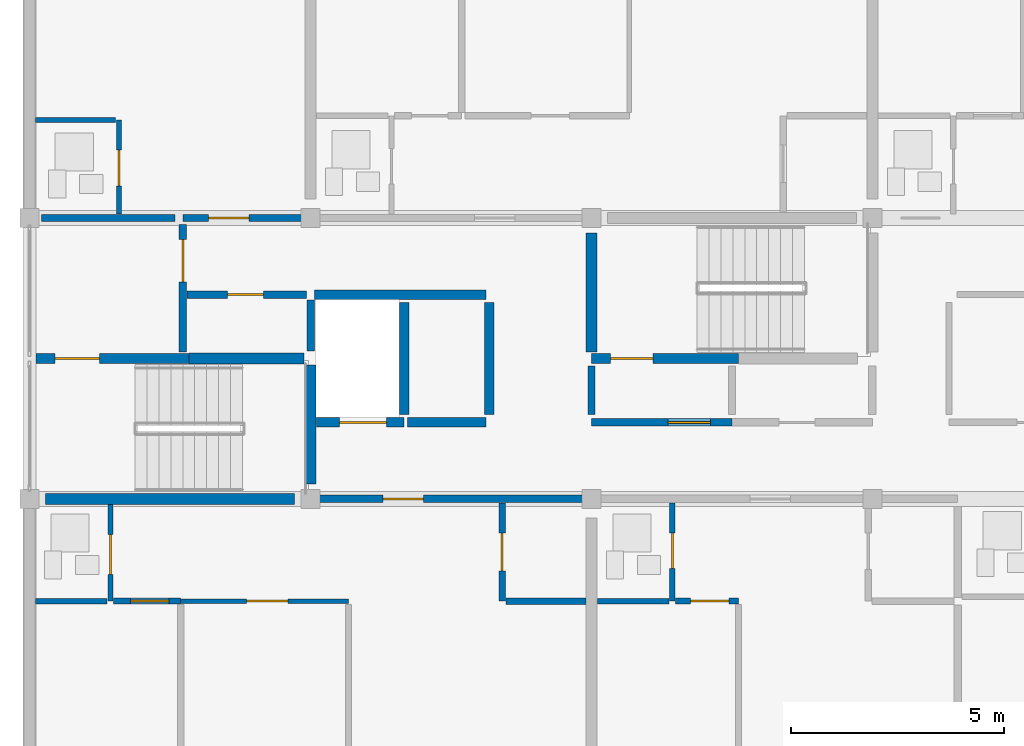
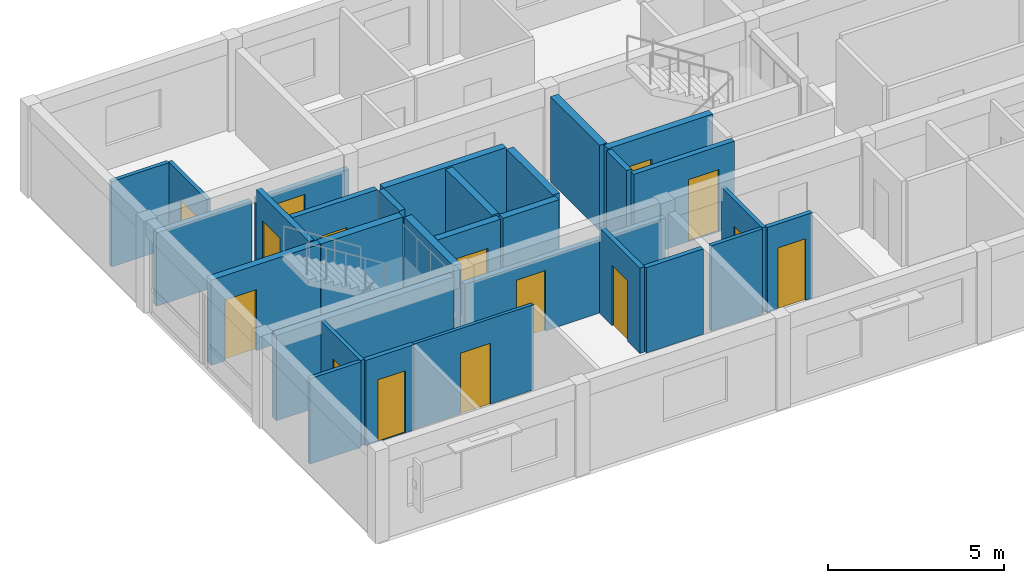
# One storey, part 20 of 37: 30 walls, 15 doors, 15 openings.
"""IFC4 building model written with IfcOpenShell, lengths in metres."""

from ifc_helpers import new_model, si_unit, direction, frame, frame_2d, origin, place, context, subcontext, project, spatial, rectangle, extrude, material, layer, layer_set, type_object, element, fill, save


model = new_model("IFC4")

# Units and contexts
model_context = context("Model", 3, precision=1e-05, world=origin(), true_north=direction((0.0, 1.0)))
body_context = subcontext(model_context, "Body", "Model", "MODEL_VIEW")
ifc_project = project(units=[si_unit("LENGTHUNIT", "METRE"), si_unit("AREAUNIT", "SQUARE_METRE"), si_unit("VOLUMEUNIT", "CUBIC_METRE"), si_unit("PLANEANGLEUNIT", "RADIAN"), si_unit("MASSUNIT", "GRAM", prefix="KILO")], contexts=[model_context])

# Site, building, storey
site_placement = place(None, origin())
site = spatial("IfcSite", under=ifc_project, at=site_placement, CompositionType="ELEMENT")
building_placement = place(site_placement, origin())
building = spatial("IfcBuilding", under=site, at=building_placement, Name="Kernevlak Ridge Housing Community", CompositionType="ELEMENT")
storey_placement = place(building_placement, frame((0.0, 0.0, 37.199951171875)))
storey = spatial("IfcBuildingStorey", under=building, at=storey_placement, Name="L11", CompositionType="ELEMENT", Elevation=37.199951171875)

# Wall, opening, door
ifc_material_1 = material(Name="Concrete C35/45", Category="concrete")
ifc_layer_1 = layer(ifc_material_1, 0.22509765625, Name="Concrete C35/45")
ifc_layer_set_1 = layer_set([ifc_layer_1], Name="Concrete C35/45")
wall_type_1 = type_object("IfcWallType", Name="PW-01", PredefinedType="STANDARD", material=ifc_layer_set_1)
wall_1_placement = place(storey_placement, frame((15.75, 85.89990234375, 0.0), z_axis=(0.0, 0.0, 1.0), x_axis=(1.0, 0.0, 0.0)))
wall_1 = element("IfcWall", 1, at=wall_1_placement, inside=storey, type_object=wall_type_1, Name="Interior wall PW-01 WAL-INT-L11-0693", PredefinedType="STANDARD", context=body_context, shape_type="SweptSolid", body=[
    extrude(rectangle(XDim=3.60009765625, YDim=0.22509765625, at=frame_2d((1.800048828125, 0.0))), origin(), (0.0, 0.0, 1.0), 2.969970703125),
])
opening_1_placement = place(wall_1_placement, frame((0.449951171875, 0.0, 0.0)))
opening_1 = element("IfcOpeningElement", 2, at=opening_1_placement, cuts=wall_1, Name="Opening D351", PredefinedType="OPENING", context=body_context, shape_type="SweptSolid", body=[
    extrude(rectangle(XDim=1.0400390625, YDim=2.1201171875, at=frame_2d((0.52001953125, 1.06005859375))), frame((0.0, 0.12255859375, 0.0), z_axis=(0.0, -1.0, 0.0), x_axis=(1.0, 0.0, 0.0)), (0.0, 0.0, 1.0), 0.2451171875),
])
ifc_material_2 = material(Name="Fire-rated sheet steel leaf", Category="steel")
door_type_1 = type_object("IfcDoorType", Name="DT-16", OperationType="NOTDEFINED", PredefinedType="DOOR", material=ifc_material_2)
door_1_placement = place(opening_1_placement, origin())
door_1 = element("IfcDoor", 3, at=door_1_placement, inside=storey, type_object=door_type_1, Name="Block A Stair 1 fire door D351", OperationType="SINGLE_SWING_LEFT", OverallHeight=2.1201171875, OverallWidth=1.0400390625, PredefinedType="DOOR", context=body_context, shape_type="SweptSolid", body=[
    extrude(rectangle(XDim=1.0400390625, YDim=2.1201171875, at=frame_2d((0.52001953125, 1.06005859375))), frame((0.0, 0.02490234375, 0.0), z_axis=(0.0, -1.0, 0.0), x_axis=(1.0, 0.0, 0.0)), (0.0, 0.0, 1.0), 0.050048828125),
])
fill(opening_1, door_1)

wall_2_placement = place(storey_placement, frame((22.3349609375, 84.39990234375, 0.0), z_axis=(0.0, 0.0, 1.0), x_axis=(1.0, 0.0, 0.0)))
wall_2 = element("IfcWall", 4, at=wall_2_placement, inside=storey, type_object=wall_type_1, Name="Interior wall PW-01 WAL-INT-L11-0697", PredefinedType="STANDARD", context=body_context, shape_type="SweptSolid", body=[
    extrude(rectangle(XDim=2.06494140625, YDim=0.22509765625, at=frame_2d((1.032470703125, 0.0))), origin(), (0.0, 0.0, 1.0), 2.969970703125),
])
opening_2_placement = place(wall_2_placement, frame((0.550048828125, 0.0, 0.0)))
opening_2 = element("IfcOpeningElement", 5, at=opening_2_placement, cuts=wall_2, Name="Opening LD22", PredefinedType="OPENING", context=body_context, shape_type="SweptSolid", body=[
    extrude(rectangle(XDim=1.10009765625, YDim=2.10009765625, at=frame_2d((0.550048828125, 1.050048828125))), frame((0.0, 0.12255859375, 0.0), z_axis=(0.0, -1.0, 0.0), x_axis=(1.0, 0.0, 0.0)), (0.0, 0.0, 1.0), 0.2451171875),
])
ifc_material_3 = material(Name="Stainless steel EN 1.4401", Category="steel")
door_type_2 = type_object("IfcDoorType", Name="DT-LD1", OperationType="DOUBLE_DOOR_SLIDING", PredefinedType="DOOR", material=ifc_material_3)
door_2_placement = place(opening_2_placement, origin())
door_2 = element("IfcDoor", 6, at=door_2_placement, inside=storey, type_object=door_type_2, Name="Lift LF-A1 landing door LD22", OperationType="DOUBLE_DOOR_SLIDING", OverallHeight=2.10009765625, OverallWidth=1.10009765625, PredefinedType="DOOR", context=body_context, shape_type="SweptSolid", body=[
    extrude(rectangle(XDim=1.10009765625, YDim=2.10009765625, at=frame_2d((0.550048828125, 1.050048828125))), frame((0.0, 0.02490234375, 0.0), z_axis=(0.0, -1.0, 0.0), x_axis=(1.0, 0.0, 0.0)), (0.0, 0.0, 1.0), 0.050048828125),
])
fill(opening_2, door_2)

# Walls
wall_3_placement = place(storey_placement, frame((24.47998046875, 84.39990234375, 0.0), z_axis=(0.0, 0.0, 1.0), x_axis=(1.0, 0.0, 0.0)))
element("IfcWall", 7, at=wall_3_placement, inside=storey, type_object=wall_type_1, Name="Interior wall PW-01 WAL-INT-L11-0698", PredefinedType="STANDARD", context=body_context, shape_type="SweptSolid", body=[
    extrude(rectangle(XDim=1.840087890625, YDim=0.22509765625, at=frame_2d((0.919921875, 0.0))), origin(), (0.0, 0.0, 1.0), 2.969970703125),
])
wall_4_placement = place(storey_placement, frame((22.297607421875, 87.39990234375, 0.0), z_axis=(0.0, 0.0, 1.0), x_axis=(1.0, 0.0, 0.0)))
element("IfcWall", 8, at=wall_4_placement, inside=storey, type_object=wall_type_1, Name="Interior wall PW-01 WAL-INT-L11-0699", PredefinedType="STANDARD", context=body_context, shape_type="SweptSolid", body=[
    extrude(rectangle(XDim=4.0224609375, YDim=0.22509765625, at=frame_2d((2.01123046875, 0.0))), origin(), (0.0, 0.0, 1.0), 2.969970703125),
])
for number, where, z_axis, x_axis, name in (
    (9, (24.39990234375, 84.580078125, 0.0), (0.0, 0.0, 1.0), (0.0, 1.0, 0.0), "Interior wall PW-01 WAL-INT-L11-0701"),
    (10, (26.39990234375, 84.580078125, 0.0), (0.0, 0.0, 1.0), (0.0, 1.0, 0.0), "Interior wall PW-01 WAL-INT-L11-0702"),
):
    element("IfcWall", number, at=place(storey_placement, frame(where, z_axis=z_axis, x_axis=x_axis)), inside=storey, type_object=wall_type_1, Name=name, PredefinedType="STANDARD", context=body_context, shape_type="SweptSolid", body=[
        extrude(rectangle(XDim=2.639892578125, YDim=0.22509765625, at=frame_2d((1.31982421875, 0.0))), origin(), (0.0, 0.0, 1.0), 2.969970703125),
    ])

# Wall, opening, door
wall_5_placement = place(storey_placement, frame((28.800048828125, 85.89990234375, 0.0), z_axis=(0.0, 0.0, 1.0), x_axis=(1.0, 0.0, 0.0)))
wall_5 = element("IfcWall", 11, at=wall_5_placement, inside=storey, type_object=wall_type_1, Name="Interior wall PW-01 WAL-INT-L11-0703", PredefinedType="STANDARD", context=body_context, shape_type="SweptSolid", body=[
    extrude(rectangle(XDim=3.449951171875, YDim=0.22509765625, at=frame_2d((1.72509765625, 0.0))), origin(), (0.0, 0.0, 1.0), 2.969970703125),
])
opening_3_placement = place(wall_5_placement, frame((0.449951171875, 0.0, 0.0)))
opening_3 = element("IfcOpeningElement", 12, at=opening_3_placement, cuts=wall_5, Name="Opening D354", PredefinedType="OPENING", context=body_context, shape_type="SweptSolid", body=[
    extrude(rectangle(XDim=1.0, YDim=2.10009765625, at=frame_2d((0.5, 1.050048828125))), frame((0.0, 0.12255859375, 0.0), z_axis=(0.0, -1.0, 0.0), x_axis=(1.0, 0.0, 0.0)), (0.0, 0.0, 1.0), 0.2451171875),
])
door_type_3 = type_object("IfcDoorType", Name="DT-05", OperationType="NOTDEFINED", PredefinedType="DOOR", material=ifc_material_2)
door_3_placement = place(opening_3_placement, origin())
door_3 = element("IfcDoor", 13, at=door_3_placement, inside=storey, type_object=door_type_3, Name="Block A Stair 2 fire door D354", OperationType="SINGLE_SWING_RIGHT", OverallHeight=2.10009765625, OverallWidth=1.0, PredefinedType="DOOR", context=body_context, shape_type="SweptSolid", body=[
    extrude(rectangle(XDim=1.0, YDim=2.10009765625, at=frame_2d((0.5, 1.050048828125))), frame((0.0, 0.02490234375, 0.0), z_axis=(0.0, -1.0, 0.0), x_axis=(1.0, 0.0, 0.0)), (0.0, 0.0, 1.0), 0.050048828125),
])
fill(opening_3, door_3)

ifc_material_4 = material(Name="Concrete block masonry M10", Category="masonry")
ifc_layer_2 = layer(ifc_material_4, 0.175048828125, Name="Concrete block masonry M10")
ifc_layer_set_2 = layer_set([ifc_layer_2], Name="Concrete block masonry M10")
wall_type_2 = type_object("IfcWallType", Name="PW-02", PredefinedType="PARTITIONING", material=ifc_layer_set_2)
wall_6_placement = place(storey_placement, frame((19.199951171875, 86.050048828125, 0.0), z_axis=(0.0, 0.0, 1.0), x_axis=(0.0, 1.0, 0.0)))
wall_6 = element("IfcWall", 14, at=wall_6_placement, inside=storey, type_object=wall_type_2, Name="Interior wall PW-02 WAL-INT-L11-0694", PredefinedType="PARTITIONING", context=body_context, shape_type="SweptSolid", body=[
    extrude(rectangle(XDim=3.0, YDim=0.175048828125, at=frame_2d((1.5, 0.0))), origin(), (0.0, 0.0, 1.0), 2.969970703125),
])
opening_4_placement = place(wall_6_placement, frame((1.64990234375, 0.0, 0.0)))
opening_4 = element("IfcOpeningElement", 15, at=opening_4_placement, cuts=wall_6, Name="Opening D352", PredefinedType="OPENING", context=body_context, shape_type="SweptSolid", body=[
    extrude(rectangle(XDim=1.0, YDim=2.10009765625, at=frame_2d((0.5, 1.050048828125))), frame((0.0, 0.097412109375, 0.0), z_axis=(0.0, -1.0, 0.0), x_axis=(1.0, 0.0, 0.0)), (0.0, 0.0, 1.0), 0.195068359375),
])
door_4_placement = place(opening_4_placement, origin())
door_4 = element("IfcDoor", 16, at=door_4_placement, inside=storey, type_object=door_type_3, Name="Block A Firefighting lobby 1 door D352", OperationType="SINGLE_SWING_RIGHT", OverallHeight=2.10009765625, OverallWidth=1.0, PredefinedType="DOOR", context=body_context, shape_type="SweptSolid", body=[
    extrude(rectangle(XDim=1.0, YDim=2.10009765625, at=frame_2d((0.5, 1.050048828125))), frame((0.0, 0.02490234375, 0.0), z_axis=(0.0, -1.0, 0.0), x_axis=(1.0, 0.0, 0.0)), (0.0, 0.0, 1.0), 0.050048828125),
])
fill(opening_4, door_4)

wall_7_placement = place(storey_placement, frame((19.300048828125, 87.39990234375, 0.0), z_axis=(0.0, 0.0, 1.0), x_axis=(1.0, 0.0, 0.0)))
wall_7 = element("IfcWall", 17, at=wall_7_placement, inside=storey, type_object=wall_type_2, Name="Interior wall PW-02 WAL-INT-L11-0695", PredefinedType="PARTITIONING", context=body_context, shape_type="SweptSolid", body=[
    extrude(rectangle(XDim=2.800048828125, YDim=0.175048828125, at=frame_2d((1.39990234375, 0.0))), origin(), (0.0, 0.0, 1.0), 2.969970703125),
])
opening_5_placement = place(wall_7_placement, frame((0.949951171875, 0.0, 0.0)))
opening_5 = element("IfcOpeningElement", 18, at=opening_5_placement, cuts=wall_7, Name="Opening D353", PredefinedType="OPENING", context=body_context, shape_type="SweptSolid", body=[
    extrude(rectangle(XDim=0.85009765625, YDim=2.0, at=frame_2d((0.425048828125, 1.0))), frame((0.0, 0.097412109375, 0.0), z_axis=(0.0, -1.0, 0.0), x_axis=(1.0, 0.0, 0.0)), (0.0, 0.0, 1.0), 0.195068359375),
])
door_type_4 = type_object("IfcDoorType", Name="DT-07", OperationType="NOTDEFINED", PredefinedType="DOOR", material=ifc_material_2)
door_5_placement = place(opening_5_placement, origin())
door_5 = element("IfcDoor", 19, at=door_5_placement, inside=storey, type_object=door_type_4, Name="Block A Riser shaft door D353", OperationType="SINGLE_SWING_LEFT", OverallHeight=2.0, OverallWidth=0.85009765625, PredefinedType="DOOR", context=body_context, shape_type="SweptSolid", body=[
    extrude(rectangle(XDim=0.85009765625, YDim=2.0, at=frame_2d((0.425048828125, 1.0))), frame((0.0, 0.02490234375, 0.0), z_axis=(0.0, -1.0, 0.0), x_axis=(1.0, 0.0, 0.0)), (0.0, 0.0, 1.0), 0.050048828125),
])
fill(opening_5, door_5)

# Wall
wall_8_placement = place(storey_placement, frame((22.199951171875, 86.080078125, 0.0), z_axis=(0.0, 0.0, 1.0), x_axis=(0.0, 1.0, 0.0)))
element("IfcWall", 20, at=wall_8_placement, inside=storey, type_object=wall_type_2, Name="Interior wall PW-02 WAL-INT-L11-0696", PredefinedType="PARTITIONING", context=body_context, shape_type="SweptSolid", body=[
    extrude(rectangle(XDim=1.18994140625, YDim=0.175048828125, at=frame_2d((0.594970703125, 0.0))), origin(), (0.0, 0.0, 1.0), 2.969970703125),
])

# Wall, opening, door
wall_9_placement = place(storey_placement, frame((28.800048828125, 84.39990234375, 0.0), z_axis=(0.0, 0.0, 1.0), x_axis=(1.0, 0.0, 0.0)))
wall_9 = element("IfcWall", 21, at=wall_9_placement, inside=storey, type_object=wall_type_2, Name="Interior wall PW-02 WAL-INT-L11-0704", PredefinedType="PARTITIONING", context=body_context, shape_type="SweptSolid", body=[
    extrude(rectangle(XDim=3.300048828125, YDim=0.175048828125, at=frame_2d((1.64990234375, 0.0))), origin(), (0.0, 0.0, 1.0), 2.969970703125),
])
opening_6_placement = place(wall_9_placement, frame((1.800048828125, 0.0, 0.0)))
opening_6 = element("IfcOpeningElement", 22, at=opening_6_placement, cuts=wall_9, Name="Opening D355", PredefinedType="OPENING", context=body_context, shape_type="SweptSolid", body=[
    extrude(rectangle(XDim=1.0, YDim=2.159912109375, at=frame_2d((0.5, 1.080078125))), frame((0.0, 0.097412109375, 0.0), z_axis=(0.0, -1.0, 0.0), x_axis=(1.0, 0.0, 0.0)), (0.0, 0.0, 1.0), 0.195068359375),
])
door_type_5 = type_object("IfcDoorType", Name="DT-15", OperationType="NOTDEFINED", PredefinedType="DOOR", material=ifc_material_2)
door_6_placement = place(opening_6_placement, origin())
door_6 = element("IfcDoor", 23, at=door_6_placement, inside=storey, type_object=door_type_5, Name="Block A Firefighting lobby 2 door D355", OperationType="SINGLE_SWING_LEFT", OverallHeight=2.159912109375, OverallWidth=1.0, PredefinedType="DOOR", context=body_context, shape_type="SweptSolid", body=[
    extrude(rectangle(XDim=1.0, YDim=2.159912109375, at=frame_2d((0.5, 1.080078125))), frame((0.0, 0.02490234375, 0.0), z_axis=(0.0, -1.0, 0.0), x_axis=(1.0, 0.0, 0.0)), (0.0, 0.0, 1.0), 0.050048828125),
])
fill(opening_6, door_6)

# Wall
wall_10_placement = place(storey_placement, frame((28.800048828125, 84.580078125, 0.0), z_axis=(0.0, 0.0, 1.0), x_axis=(0.0, 1.0, 0.0)))
element("IfcWall", 24, at=wall_10_placement, inside=storey, type_object=wall_type_2, Name="Interior wall PW-02 WAL-INT-L11-0706", PredefinedType="PARTITIONING", context=body_context, shape_type="SweptSolid", body=[
    extrude(rectangle(XDim=1.139892578125, YDim=0.175048828125, at=frame_2d((0.56982421875, 0.0))), origin(), (0.0, 0.0, 1.0), 2.969970703125),
])

# Wall, opening, door
wall_11_placement = place(storey_placement, frame((22.199951171875, 82.60009765625, 0.0), z_axis=(0.0, 0.0, 1.0), x_axis=(1.0, 0.0, 0.0)))
wall_11 = element("IfcWall", 25, at=wall_11_placement, inside=storey, type_object=wall_type_2, Name="Interior wall PW-02 WAL-INT-L11-0714", PredefinedType="PARTITIONING", context=body_context, shape_type="SweptSolid", body=[
    extrude(rectangle(XDim=6.60009765625, YDim=0.175048828125, at=frame_2d((3.300048828125, 0.0))), origin(), (0.0, 0.0, 1.0), 2.550048828125),
])
opening_7_placement = place(wall_11_placement, frame((1.699951171875, 0.0, 0.0)))
opening_7 = element("IfcOpeningElement", 26, at=opening_7_placement, cuts=wall_11, Name="Opening D359", PredefinedType="OPENING", context=body_context, shape_type="SweptSolid", body=[
    extrude(rectangle(XDim=0.949951171875, YDim=2.10009765625, at=frame_2d((0.47509765625, 1.050048828125))), frame((0.0, 0.097412109375, 0.0), z_axis=(0.0, -1.0, 0.0), x_axis=(1.0, 0.0, 0.0)), (0.0, 0.0, 1.0), 0.195068359375),
])
ifc_material_5 = material(Name="Hardwood timber solid-core fire leaf", Category="wood")
door_type_6 = type_object("IfcDoorType", Name="DT-01", OperationType="NOTDEFINED", PredefinedType="DOOR", material=ifc_material_5)
door_7_placement = place(opening_7_placement, origin())
door_7 = element("IfcDoor", 27, at=door_7_placement, inside=storey, type_object=door_type_6, Name="Flat A1111 entrance fire door D359", OperationType="SINGLE_SWING_LEFT", OverallHeight=2.10009765625, OverallWidth=0.949951171875, PredefinedType="DOOR", context=body_context, shape_type="SweptSolid", body=[
    extrude(rectangle(XDim=0.949951171875, YDim=2.10009765625, at=frame_2d((0.47509765625, 1.050048828125))), frame((0.0, 0.02490234375, 0.0), z_axis=(0.0, -1.0, 0.0), x_axis=(1.0, 0.0, 0.0)), (0.0, 0.0, 1.0), 0.050048828125),
])
fill(opening_7, door_7)

# Wall
wall_12_placement = place(storey_placement, frame((15.8798828125, 89.199951171875, 0.0), z_axis=(0.0, 0.0, 1.0), x_axis=(1.0, 0.0, 0.0)))
element("IfcWall", 28, at=wall_12_placement, inside=storey, type_object=wall_type_2, Name="Interior wall PW-02 WAL-INT-L11-0734", PredefinedType="PARTITIONING", context=body_context, shape_type="SweptSolid", body=[
    extrude(rectangle(XDim=3.14013671875, YDim=0.175048828125, at=frame_2d((1.570068359375, 0.0))), origin(), (0.0, 0.0, 1.0), 2.550048828125),
])

# Wall, opening, door
wall_13_placement = place(storey_placement, frame((19.199951171875, 89.199951171875, 0.0), z_axis=(0.0, 0.0, 1.0), x_axis=(1.0, 0.0, 0.0)))
wall_13 = element("IfcWall", 29, at=wall_13_placement, inside=storey, type_object=wall_type_2, Name="Interior wall PW-02 WAL-INT-L11-0735", PredefinedType="PARTITIONING", context=body_context, shape_type="SweptSolid", body=[
    extrude(rectangle(XDim=3.0, YDim=0.175048828125, at=frame_2d((1.5, 0.0))), origin(), (0.0, 0.0, 1.0), 2.550048828125),
])
opening_8_placement = place(wall_13_placement, frame((0.60009765625, 0.0, 0.0)))
opening_8 = element("IfcOpeningElement", 30, at=opening_8_placement, cuts=wall_13, Name="Opening D370", PredefinedType="OPENING", context=body_context, shape_type="SweptSolid", body=[
    extrude(rectangle(XDim=0.9599609375, YDim=2.179931640625, at=frame_2d((0.47998046875, 1.08984375))), frame((0.0, 0.097412109375, 0.0), z_axis=(0.0, -1.0, 0.0), x_axis=(1.0, 0.0, 0.0)), (0.0, 0.0, 1.0), 0.195068359375),
])
door_type_7 = type_object("IfcDoorType", Name="DT-29", OperationType="NOTDEFINED", PredefinedType="DOOR", material=ifc_material_5)
door_8_placement = place(opening_8_placement, origin())
door_8 = element("IfcDoor", 31, at=door_8_placement, inside=storey, type_object=door_type_7, Name="Flat A1121 entrance fire door D370", OperationType="SINGLE_SWING_RIGHT", OverallHeight=2.179931640625, OverallWidth=0.9599609375, PredefinedType="DOOR", context=body_context, shape_type="SweptSolid", body=[
    extrude(rectangle(XDim=0.9599609375, YDim=2.179931640625, at=frame_2d((0.47998046875, 1.08984375))), frame((0.0, 0.02490234375, 0.0), z_axis=(0.0, -1.0, 0.0), x_axis=(1.0, 0.0, 0.0)), (0.0, 0.0, 1.0), 0.050048828125),
])
fill(opening_8, door_8)

ifc_layer_3 = layer(ifc_material_4, 0.14501953125, Name="Concrete block masonry M10")
ifc_layer_set_3 = layer_set([ifc_layer_3], Name="Concrete block masonry M10")
wall_type_3 = type_object("IfcWallType", Name="PW-03", PredefinedType="PARTITIONING", material=ifc_layer_set_3)
wall_14_placement = place(storey_placement, frame((17.572509765625, 80.199951171875, 0.0), z_axis=(0.0, 0.0, 1.0), x_axis=(1.0, 0.0, 0.0)))
wall_14 = element("IfcWall", 32, at=wall_14_placement, inside=storey, type_object=wall_type_3, Name="Interior wall PW-03 WAL-INT-L11-0719", PredefinedType="PARTITIONING", context=body_context, shape_type="SweptSolid", body=[
    extrude(rectangle(XDim=1.577392578125, YDim=0.14501953125, at=frame_2d((0.78857421875, 0.0))), origin(), (0.0, 0.0, 1.0), 2.969970703125),
])
opening_9_placement = place(wall_14_placement, frame((0.39990234375, 0.0, 0.0)))
opening_9 = element("IfcOpeningElement", 33, at=opening_9_placement, cuts=wall_14, Name="Opening D362", PredefinedType="OPENING", context=body_context, shape_type="SweptSolid", body=[
    extrude(rectangle(XDim=0.89990234375, YDim=2.159912109375, at=frame_2d((0.449951171875, 1.080078125))), frame((0.0, 0.08251953125, 0.0), z_axis=(0.0, -1.0, 0.0), x_axis=(1.0, 0.0, 0.0)), (0.0, 0.0, 1.0), 0.1650390625),
])
ifc_material_6 = material(Name="Hardwood timber leaf", Category="wood")
door_type_8 = type_object("IfcDoorType", Name="DT-22", OperationType="NOTDEFINED", PredefinedType="DOOR", material=ifc_material_6)
door_9_placement = place(opening_9_placement, origin())
door_9 = element("IfcDoor", 34, at=door_9_placement, inside=storey, type_object=door_type_8, Name="Flat A1111 bedroom door D362", OperationType="SINGLE_SWING_RIGHT", OverallHeight=2.159912109375, OverallWidth=0.89990234375, PredefinedType="DOOR", context=body_context, shape_type="SweptSolid", body=[
    extrude(rectangle(XDim=0.89990234375, YDim=2.159912109375, at=frame_2d((0.449951171875, 1.080078125))), frame((0.0, 0.02490234375, 0.0), z_axis=(0.0, -1.0, 0.0), x_axis=(1.0, 0.0, 0.0)), (0.0, 0.0, 1.0), 0.050048828125),
])
fill(opening_9, door_9)

wall_15_placement = place(storey_placement, frame((30.7724609375, 80.199951171875, 0.0), z_axis=(0.0, 0.0, 1.0), x_axis=(1.0, 0.0, 0.0)))
wall_15 = element("IfcWall", 35, at=wall_15_placement, inside=storey, type_object=wall_type_3, Name="Interior wall PW-03 WAL-INT-L11-0728", PredefinedType="PARTITIONING", context=body_context, shape_type="SweptSolid", body=[
    extrude(rectangle(XDim=1.4775390625, YDim=0.14501953125, at=frame_2d((0.73876953125, 0.0))), origin(), (0.0, 0.0, 1.0), 2.969970703125),
])
opening_10_placement = place(wall_15_placement, frame((0.35009765625, 0.0, 0.0)))
opening_10 = element("IfcOpeningElement", 36, at=opening_10_placement, cuts=wall_15, Name="Opening D367", PredefinedType="OPENING", context=body_context, shape_type="SweptSolid", body=[
    extrude(rectangle(XDim=0.909912109375, YDim=2.139892578125, at=frame_2d((0.455078125, 1.06982421875))), frame((0.0, 0.08251953125, 0.0), z_axis=(0.0, -1.0, 0.0), x_axis=(1.0, 0.0, 0.0)), (0.0, 0.0, 1.0), 0.1650390625),
])
door_type_9 = type_object("IfcDoorType", Name="DT-31", OperationType="NOTDEFINED", PredefinedType="DOOR", material=ifc_material_6)
door_10_placement = place(opening_10_placement, origin())
door_10 = element("IfcDoor", 37, at=door_10_placement, inside=storey, type_object=door_type_9, Name="Flat A1112 bedroom door D367", OperationType="SINGLE_SWING_LEFT", OverallHeight=2.139892578125, OverallWidth=0.909912109375, PredefinedType="DOOR", context=body_context, shape_type="SweptSolid", body=[
    extrude(rectangle(XDim=0.909912109375, YDim=2.139892578125, at=frame_2d((0.455078125, 1.06982421875))), frame((0.0, 0.02490234375, 0.0), z_axis=(0.0, -1.0, 0.0), x_axis=(1.0, 0.0, 0.0)), (0.0, 0.0, 1.0), 0.050048828125),
])
fill(opening_10, door_10)

ifc_material_7 = material(Name="Gypsum plasterboard EN 520", Category="gypsum")
ifc_layer_4 = layer(ifc_material_7, 0.125, Name="Gypsum plasterboard EN 520")
ifc_layer_set_4 = layer_set([ifc_layer_4], Name="Gypsum plasterboard EN 520")
wall_type_4 = type_object("IfcWallType", Name="PW-04", PredefinedType="PARTITIONING", material=ifc_layer_set_4)
wall_16_placement = place(storey_placement, frame((17.5, 82.465087890625, 0.0), z_axis=(0.0, 0.0, 1.0), x_axis=(0.0, -1.0, 0.0)))
wall_16 = element("IfcWall", 38, at=wall_16_placement, inside=storey, type_object=wall_type_4, Name="Interior wall PW-04 WAL-INT-L11-0715", PredefinedType="PARTITIONING", context=body_context, shape_type="SweptSolid", body=[
    extrude(rectangle(XDim=2.26513671875, YDim=0.125, at=frame_2d((1.132568359375, 0.0))), origin(), (0.0, 0.0, 1.0), 2.969970703125),
])
opening_11_placement = place(wall_16_placement, frame((0.699951171875, 0.0, 0.0)))
opening_11 = element("IfcOpeningElement", 39, at=opening_11_placement, cuts=wall_16, Name="Opening D360", PredefinedType="OPENING", context=body_context, shape_type="SweptSolid", body=[
    extrude(rectangle(XDim=0.93994140625, YDim=2.080078125, at=frame_2d((0.469970703125, 1.0400390625))), frame((0.0, 0.072509765625, 0.0), z_axis=(0.0, -1.0, 0.0), x_axis=(1.0, 0.0, 0.0)), (0.0, 0.0, 1.0), 0.14501953125),
])
ifc_material_8 = material(Name="Hardwood timber moisture-resistant leaf", Category="wood")
door_type_10 = type_object("IfcDoorType", Name="DT-23", OperationType="NOTDEFINED", PredefinedType="DOOR", material=ifc_material_8)
door_11_placement = place(opening_11_placement, origin())
door_11 = element("IfcDoor", 40, at=door_11_placement, inside=storey, type_object=door_type_10, Name="Flat A1111 bathroom door D360", OperationType="SINGLE_SWING_RIGHT", OverallHeight=2.080078125, OverallWidth=0.93994140625, PredefinedType="DOOR", context=body_context, shape_type="SweptSolid", body=[
    extrude(rectangle(XDim=0.93994140625, YDim=2.080078125, at=frame_2d((0.469970703125, 1.0400390625))), frame((0.0, 0.02490234375, 0.0), z_axis=(0.0, -1.0, 0.0), x_axis=(1.0, 0.0, 0.0)), (0.0, 0.0, 1.0), 0.050048828125),
])
fill(opening_11, door_11)

# Wall
wall_17_placement = place(storey_placement, frame((15.739990234375, 80.199951171875, 0.0), z_axis=(0.0, 0.0, 1.0), x_axis=(1.0, 0.0, 0.0)))
element("IfcWall", 41, at=wall_17_placement, inside=storey, type_object=wall_type_4, Name="Interior wall PW-04 WAL-INT-L11-0716", PredefinedType="PARTITIONING", context=body_context, shape_type="SweptSolid", body=[
    extrude(rectangle(XDim=1.679931640625, YDim=0.125, at=frame_2d((0.83984375, 0.0))), origin(), (0.0, 0.0, 1.0), 2.969970703125),
])

# Wall, opening, door
wall_18_placement = place(storey_placement, frame((30.699951171875, 82.50244140625, 0.0), z_axis=(0.0, 0.0, 1.0), x_axis=(0.0, -1.0, 0.0)))
wall_18 = element("IfcWall", 42, at=wall_18_placement, inside=storey, type_object=wall_type_4, Name="Interior wall PW-04 WAL-INT-L11-0724", PredefinedType="PARTITIONING", context=body_context, shape_type="SweptSolid", body=[
    extrude(rectangle(XDim=2.302490234375, YDim=0.125, at=frame_2d((1.1513671875, 0.0))), origin(), (0.0, 0.0, 1.0), 2.969970703125),
])
opening_12_placement = place(wall_18_placement, frame((0.699951171875, 0.0, 0.0)))
opening_12 = element("IfcOpeningElement", 43, at=opening_12_placement, cuts=wall_18, Name="Opening D365", PredefinedType="OPENING", context=body_context, shape_type="SweptSolid", body=[
    extrude(rectangle(XDim=0.840087890625, YDim=2.06005859375, at=frame_2d((0.419921875, 1.030029296875))), frame((0.0, 0.072509765625, 0.0), z_axis=(0.0, -1.0, 0.0), x_axis=(1.0, 0.0, 0.0)), (0.0, 0.0, 1.0), 0.14501953125),
])
door_type_11 = type_object("IfcDoorType", Name="DT-27", OperationType="NOTDEFINED", PredefinedType="DOOR", material=ifc_material_8)
door_12_placement = place(opening_12_placement, origin())
door_12 = element("IfcDoor", 44, at=door_12_placement, inside=storey, type_object=door_type_11, Name="Flat A1112 bathroom door D365", OperationType="SINGLE_SWING_LEFT", OverallHeight=2.06005859375, OverallWidth=0.840087890625, PredefinedType="DOOR", context=body_context, shape_type="SweptSolid", body=[
    extrude(rectangle(XDim=0.840087890625, YDim=2.06005859375, at=frame_2d((0.419921875, 1.030029296875))), frame((0.0, 0.02490234375, 0.0), z_axis=(0.0, -1.0, 0.0), x_axis=(1.0, 0.0, 0.0)), (0.0, 0.0, 1.0), 0.050048828125),
])
fill(opening_12, door_12)

# Wall
wall_19_placement = place(storey_placement, frame((28.93505859375, 80.199951171875, 0.0), z_axis=(0.0, 0.0, 1.0), x_axis=(1.0, 0.0, 0.0)))
element("IfcWall", 45, at=wall_19_placement, inside=storey, type_object=wall_type_4, Name="Interior wall PW-04 WAL-INT-L11-0725", PredefinedType="PARTITIONING", context=body_context, shape_type="SweptSolid", body=[
    extrude(rectangle(XDim=1.68505859375, YDim=0.125, at=frame_2d((0.842529296875, 0.0))), origin(), (0.0, 0.0, 1.0), 2.969970703125),
])

# Wall, opening, door
wall_20_placement = place(storey_placement, frame((17.699951171875, 89.297607421875, 0.0), z_axis=(0.0, 0.0, 1.0), x_axis=(0.0, 1.0, 0.0)))
wall_20 = element("IfcWall", 46, at=wall_20_placement, inside=storey, type_object=wall_type_4, Name="Interior wall PW-04 WAL-INT-L11-0736", PredefinedType="PARTITIONING", context=body_context, shape_type="SweptSolid", body=[
    extrude(rectangle(XDim=2.202392578125, YDim=0.125, at=frame_2d((1.10107421875, 0.0))), origin(), (0.0, 0.0, 1.0), 2.969970703125),
])
opening_13_placement = place(wall_20_placement, frame((0.64990234375, 0.0, 0.0)))
opening_13 = element("IfcOpeningElement", 47, at=opening_13_placement, cuts=wall_20, Name="Opening D371", PredefinedType="OPENING", context=body_context, shape_type="SweptSolid", body=[
    extrude(rectangle(XDim=0.85009765625, YDim=2.0400390625, at=frame_2d((0.425048828125, 1.02001953125))), frame((0.0, 0.072509765625, 0.0), z_axis=(0.0, -1.0, 0.0), x_axis=(1.0, 0.0, 0.0)), (0.0, 0.0, 1.0), 0.14501953125),
])
door_type_12 = type_object("IfcDoorType", Name="DT-04", OperationType="NOTDEFINED", PredefinedType="DOOR", material=ifc_material_8)
door_13_placement = place(opening_13_placement, origin())
door_13 = element("IfcDoor", 48, at=door_13_placement, inside=storey, type_object=door_type_12, Name="Flat A1121 bathroom door D371", OperationType="SINGLE_SWING_LEFT", OverallHeight=2.0400390625, OverallWidth=0.85009765625, PredefinedType="DOOR", context=body_context, shape_type="SweptSolid", body=[
    extrude(rectangle(XDim=0.85009765625, YDim=2.0400390625, at=frame_2d((0.425048828125, 1.02001953125))), frame((0.0, 0.02490234375, 0.0), z_axis=(0.0, -1.0, 0.0), x_axis=(1.0, 0.0, 0.0)), (0.0, 0.0, 1.0), 0.050048828125),
])
fill(opening_13, door_13)

# Wall
wall_21_placement = place(storey_placement, frame((15.739990234375, 91.5, 0.0), z_axis=(0.0, 0.0, 1.0), x_axis=(1.0, 0.0, 0.0)))
element("IfcWall", 49, at=wall_21_placement, inside=storey, type_object=wall_type_4, Name="Interior wall PW-04 WAL-INT-L11-0737", PredefinedType="PARTITIONING", context=body_context, shape_type="SweptSolid", body=[
    extrude(rectangle(XDim=1.880126953125, YDim=0.125, at=frame_2d((0.93994140625, 0.0))), origin(), (0.0, 0.0, 1.0), 2.969970703125),
])

# Wall, opening, door
ifc_layer_5 = layer(ifc_material_7, 0.155029296875, Name="Gypsum plasterboard EN 520")
ifc_layer_set_5 = layer_set([ifc_layer_5], Name="Gypsum plasterboard EN 520")
wall_type_5 = type_object("IfcWallType", Name="PW-05", PredefinedType="PARTITIONING", material=ifc_layer_set_5)
wall_22_placement = place(storey_placement, frame((26.699951171875, 82.50244140625, 0.0), z_axis=(0.0, 0.0, 1.0), x_axis=(0.0, -1.0, 0.0)))
wall_22 = element("IfcWall", 50, at=wall_22_placement, inside=storey, type_object=wall_type_5, Name="Interior wall PW-05 WAL-INT-L11-0717", PredefinedType="PARTITIONING", context=body_context, shape_type="SweptSolid", body=[
    extrude(rectangle(XDim=2.302490234375, YDim=0.155029296875, at=frame_2d((1.1513671875, 0.0))), origin(), (0.0, 0.0, 1.0), 2.969970703125),
])
opening_14_placement = place(wall_22_placement, frame((0.699951171875, 0.0, 0.0)))
opening_14 = element("IfcOpeningElement", 51, at=opening_14_placement, cuts=wall_22, Name="Opening D361", PredefinedType="OPENING", context=body_context, shape_type="SweptSolid", body=[
    extrude(rectangle(XDim=0.89990234375, YDim=2.10009765625, at=frame_2d((0.449951171875, 1.050048828125))), frame((0.0, 0.08740234375, 0.0), z_axis=(0.0, -1.0, 0.0), x_axis=(1.0, 0.0, 0.0)), (0.0, 0.0, 1.0), 0.175048828125),
])
door_type_13 = type_object("IfcDoorType", Name="DT-21", OperationType="NOTDEFINED", PredefinedType="DOOR", material=ifc_material_6)
door_14_placement = place(opening_14_placement, origin())
door_14 = element("IfcDoor", 52, at=door_14_placement, inside=storey, type_object=door_type_13, Name="Flat A1111 kitchen door D361", OperationType="SINGLE_SWING_LEFT", OverallHeight=2.10009765625, OverallWidth=0.89990234375, PredefinedType="DOOR", context=body_context, shape_type="SweptSolid", body=[
    extrude(rectangle(XDim=0.89990234375, YDim=2.10009765625, at=frame_2d((0.449951171875, 1.050048828125))), frame((0.0, 0.02490234375, 0.0), z_axis=(0.0, -1.0, 0.0), x_axis=(1.0, 0.0, 0.0)), (0.0, 0.0, 1.0), 0.050048828125),
])
fill(opening_14, door_14)

# Wall
wall_23_placement = place(storey_placement, frame((26.78759765625, 80.199951171875, 0.0), z_axis=(0.0, 0.0, 1.0), x_axis=(1.0, 0.0, 0.0)))
element("IfcWall", 53, at=wall_23_placement, inside=storey, type_object=wall_type_5, Name="Interior wall PW-05 WAL-INT-L11-0718", PredefinedType="PARTITIONING", context=body_context, shape_type="SweptSolid", body=[
    extrude(rectangle(XDim=1.87744140625, YDim=0.155029296875, at=frame_2d((0.938720703125, 0.0))), origin(), (0.0, 0.0, 1.0), 2.969970703125),
])

# Wall, opening, door
ifc_layer_6 = layer(ifc_material_7, 0.10498046875, Name="Gypsum plasterboard EN 520")
ifc_layer_set_6 = layer_set([ifc_layer_6], Name="Gypsum plasterboard EN 520")
wall_type_6 = type_object("IfcWallType", Name="PW-06", PredefinedType="PARTITIONING", material=ifc_layer_set_6)
wall_24_placement = place(storey_placement, frame((19.14990234375, 80.199951171875, 0.0), z_axis=(0.0, 0.0, 1.0), x_axis=(1.0, 0.0, 0.0)))
wall_24 = element("IfcWall", 54, at=wall_24_placement, inside=storey, type_object=wall_type_6, Name="Interior wall PW-06 WAL-INT-L11-0721", PredefinedType="PARTITIONING", context=body_context, shape_type="SweptSolid", body=[
    extrude(rectangle(XDim=3.942138671875, YDim=0.10498046875, at=frame_2d((1.97119140625, 0.0))), origin(), (0.0, 0.0, 1.0), 2.969970703125),
])
opening_15_placement = place(wall_24_placement, frame((1.5458984375, 0.0, 0.0)))
opening_15 = element("IfcOpeningElement", 55, at=opening_15_placement, cuts=wall_24, Name="Opening D363", PredefinedType="OPENING", context=body_context, shape_type="SweptSolid", body=[
    extrude(rectangle(XDim=0.97998046875, YDim=2.1201171875, at=frame_2d((0.489990234375, 1.06005859375))), frame((0.0, 0.0625, 0.0), z_axis=(0.0, -1.0, 0.0), x_axis=(1.0, 0.0, 0.0)), (0.0, 0.0, 1.0), 0.125),
])
door_type_14 = type_object("IfcDoorType", Name="DT-24", OperationType="NOTDEFINED", PredefinedType="DOOR", material=ifc_material_6)
door_15_placement = place(opening_15_placement, origin())
door_15 = element("IfcDoor", 56, at=door_15_placement, inside=storey, type_object=door_type_14, Name="Flat A1111 bedroom door D363", OperationType="SINGLE_SWING_LEFT", OverallHeight=2.1201171875, OverallWidth=0.97998046875, PredefinedType="DOOR", context=body_context, shape_type="SweptSolid", body=[
    extrude(rectangle(XDim=0.97998046875, YDim=2.1201171875, at=frame_2d((0.489990234375, 1.06005859375))), frame((0.0, 0.02490234375, 0.0), z_axis=(0.0, -1.0, 0.0), x_axis=(1.0, 0.0, 0.0)), (0.0, 0.0, 1.0), 0.050048828125),
])
fill(opening_15, door_15)

# Walls
ifc_material_9 = material(Name="Concrete C40/50", Category="concrete")
ifc_layer_7 = layer(ifc_material_9, 0.25, Name="Concrete C40/50")
ifc_layer_set_7 = layer_set([ifc_layer_7], Name="Concrete C40/50")
wall_type_7 = type_object("IfcWallType", Name="SW-03", PredefinedType="SHEAR", material=ifc_layer_set_7)
wall_25_placement = place(storey_placement, frame((15.97998046875, 82.60009765625, 0.0), z_axis=(0.0, 0.0, 1.0), x_axis=(1.0, 0.0, 0.0)))
element("IfcWall", 57, at=wall_25_placement, inside=storey, type_object=wall_type_7, Name="Shear wall SW-03 Block A L11 121", PredefinedType="SHEAR", context=body_context, shape_type="SweptSolid", body=[
    extrude(rectangle(XDim=5.840087890625, YDim=0.25, at=frame_2d((2.919921875, 0.0))), origin(), (0.0, 0.0, 1.0), 2.969970703125),
])
wall_26_placement = place(storey_placement, frame((19.35009765625, 85.89990234375, 0.0), z_axis=(0.0, 0.0, 1.0), x_axis=(1.0, 0.0, 0.0)))
element("IfcWall", 58, at=wall_26_placement, inside=storey, type_object=wall_type_7, Name="Shear wall SW-03 Block A L11 122", PredefinedType="SHEAR", context=body_context, shape_type="SweptSolid", body=[
    extrude(rectangle(XDim=2.699951171875, YDim=0.25, at=frame_2d((1.35009765625, 0.0))), origin(), (0.0, 0.0, 1.0), 2.969970703125),
])
for number, where, z_axis, x_axis, name in (
    (59, (22.199951171875, 82.949951171875, 0.0), (0.0, 0.0, 1.0), (0.0, 1.0, 0.0), "Shear wall SW-03 Block A L11 123"),
    (60, (28.800048828125, 86.050048828125, 0.0), (0.0, 0.0, 1.0), (0.0, 1.0, 0.0), "Shear wall SW-03 Block A L11 126"),
):
    element("IfcWall", number, at=place(storey_placement, frame(where, z_axis=z_axis, x_axis=x_axis)), inside=storey, type_object=wall_type_7, Name=name, PredefinedType="SHEAR", context=body_context, shape_type="SweptSolid", body=[
        extrude(rectangle(XDim=2.800048828125, YDim=0.25, at=frame_2d((1.39990234375, 0.0))), origin(), (0.0, 0.0, 1.0), 2.969970703125),
    ])

save(model, "model.ifc")
